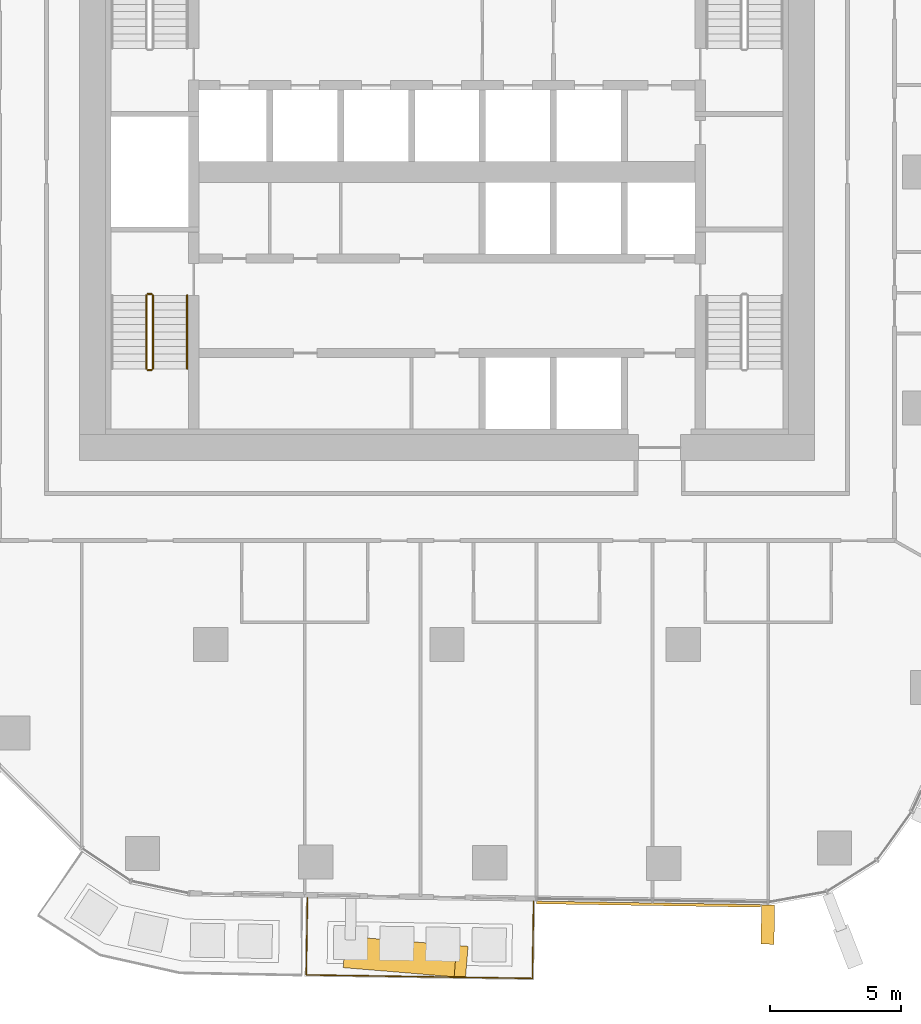
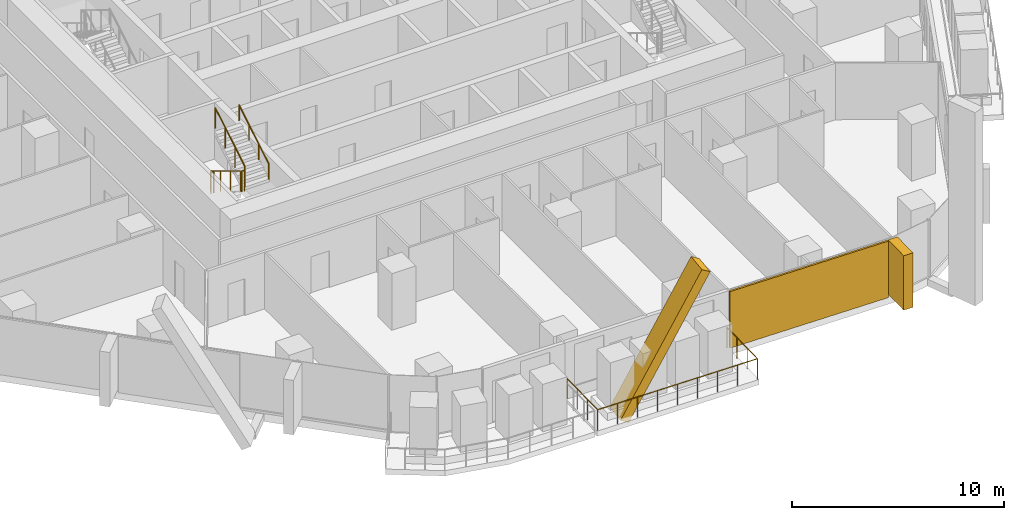
# One storey, part 21 of 26: 6 railings, 3 coverings, 2 elements without a shape of their own.
"""IFC4 building model written with IfcOpenShell, lengths in metres."""

from ifc_helpers import new_model, si_unit, direction, frame, origin, origin_2d, place, context, subcontext, project, spatial, rectangle, circle, extrude, material, layer, layer_set, material_profile, profile_set, type_object, element, aggregate, save


model = new_model("IFC4")

# Units and contexts
model_context = context("Model", 3, precision=1e-05, world=origin(), true_north=direction((0.0, 1.0)))
body_context = subcontext(model_context, "Body", "Model", "MODEL_VIEW")
ifc_project = project(units=[si_unit("LENGTHUNIT", "METRE"), si_unit("AREAUNIT", "SQUARE_METRE"), si_unit("VOLUMEUNIT", "CUBIC_METRE"), si_unit("PLANEANGLEUNIT", "RADIAN"), si_unit("MASSUNIT", "GRAM", prefix="KILO")], contexts=[model_context])

# Site, building, storey
site_placement = place(None, origin())
site = spatial("IfcSite", under=ifc_project, at=site_placement, CompositionType="ELEMENT")
building_placement = place(site_placement, origin())
building = spatial("IfcBuilding", under=site, at=building_placement, Name="Dongbaek Canopy Tower", CompositionType="ELEMENT")
storey_placement = place(building_placement, frame((0.0, 0.0, 95.199951171875)))
storey = spatial("IfcBuildingStorey", under=building, at=storey_placement, Name="L19", CompositionType="ELEMENT", Elevation=95.199951171875)

# Railing
ifc_material_1 = material(Name="Stainless steel", Category="steel")
railing_type_1 = type_object("IfcRailingType", Name="Balcony balustrade 1200", PredefinedType="BALUSTRADE", material=ifc_material_1)
railing_1_placement = place(storey_placement, frame((-5.315185546875, -27.650390625, 0.0)))
element("IfcRailing", 1, at=railing_1_placement, inside=storey, type_object=railing_type_1, Name="Balcony guard L19 4", PredefinedType="BALUSTRADE", context=body_context, shape_type="SweptSolid", body=[
    extrude(circle(Radius=0.02392578125, at=origin_2d()), frame((0.0, 0.0, 1.17578125), z_axis=(-0.015445379339, -0.999880713014, 0.0), x_axis=(0.999880713014, -0.015445379339, 0.0)), (0.0, 0.0, 1.0), 2.93994140625),
    extrude(circle(Radius=0.02392578125, at=origin_2d()), frame((-0.04541015625, -2.939697265625, 1.17578125), z_axis=(0.99988115416, -0.015416794622, 0.0), x_axis=(0.015416794622, 0.99988115416, 0.0)), (0.0, 0.0, 1.0), 8.61474609375),
    extrude(circle(Radius=0.02392578125, at=origin_2d()), frame((8.568359375, -3.072509765625, 1.17578125), z_axis=(0.015362359316, 0.999881991995, 0.0), x_axis=(-0.999881991995, 0.015362359316, 0.0)), (0.0, 0.0, 1.0), 2.93994140625),
    extrude(circle(Radius=0.02099609375, at=origin_2d()), origin(), (0.0, 0.0, 1.0), 1.15185546875),
    extrude(circle(Radius=0.02099609375, at=origin_2d()), frame((-0.01513671875, -0.97998046875, 0.0)), (0.0, 0.0, 1.0), 1.15185546875),
    extrude(circle(Radius=0.02099609375, at=origin_2d()), frame((-0.0302734375, -1.959716796875, 0.0)), (0.0, 0.0, 1.0), 1.15185546875),
    extrude(circle(Radius=0.02099609375, at=origin_2d()), frame((-0.04541015625, -2.939697265625, 0.0)), (0.0, 0.0, 1.0), 1.15185546875),
    extrude(circle(Radius=0.02099609375, at=origin_2d()), frame((1.03125, -2.956298828125, 0.0)), (0.0, 0.0, 1.0), 1.15185546875),
    extrude(circle(Radius=0.02099609375, at=origin_2d()), frame((2.10791015625, -2.972900390625, 0.0)), (0.0, 0.0, 1.0), 1.15185546875),
    extrude(circle(Radius=0.02099609375, at=origin_2d()), frame((3.184814453125, -2.989501953125, 0.0)), (0.0, 0.0, 1.0), 1.15185546875),
    extrude(circle(Radius=0.02099609375, at=origin_2d()), frame((4.261474609375, -3.006103515625, 0.0)), (0.0, 0.0, 1.0), 1.15185546875),
    extrude(circle(Radius=0.02099609375, at=origin_2d()), frame((5.338134765625, -3.022705078125, 0.0)), (0.0, 0.0, 1.0), 1.15185546875),
    extrude(circle(Radius=0.02099609375, at=origin_2d()), frame((6.4150390625, -3.039306640625, 0.0)), (0.0, 0.0, 1.0), 1.15185546875),
    extrude(circle(Radius=0.02099609375, at=origin_2d()), frame((7.49169921875, -3.055908203125, 0.0)), (0.0, 0.0, 1.0), 1.15185546875),
    extrude(circle(Radius=0.02099609375, at=origin_2d()), frame((8.568359375, -3.072509765625, 0.0)), (0.0, 0.0, 1.0), 1.15185546875),
    extrude(circle(Radius=0.02099609375, at=origin_2d()), frame((8.58349609375, -2.092529296875, 0.0)), (0.0, 0.0, 1.0), 1.15185546875),
    extrude(circle(Radius=0.02099609375, at=origin_2d()), frame((8.598388671875, -1.11279296875, 0.0)), (0.0, 0.0, 1.0), 1.15185546875),
    extrude(circle(Radius=0.02099609375, at=origin_2d()), frame((8.613525390625, -0.1328125, 0.0)), (0.0, 0.0, 1.0), 1.15185546875),
])

# Curtain wall, covering
ifc_material_2 = material(Name="Aluminium 6063-T6 pale anodised", Category="aluminium")
ifc_layer_1 = layer(ifc_material_2, 0.199951171875)
ifc_layer_set_1 = layer_set([ifc_layer_1], Name="CW-1 unitised tower curtain wall")
curtain_wall_type = type_object("IfcCurtainWallType", Name="CW-1 unitised tower curtain wall", PredefinedType="NOTDEFINED", material=ifc_layer_set_1)
curtain_wall_1_placement = place(storey_placement, origin())
curtain_wall_1 = element("IfcCurtainWall", 2, at=curtain_wall_1_placement, inside=storey, type_object=curtain_wall_type, Name="CW-1 curtain wall K4.1", PredefinedType="NOTDEFINED")
ifc_material_3 = material(Name="Aluminium 6063-T6 pale metal fin", Category="aluminium")
ifc_material_profile_1 = material_profile(ifc_material_3, rectangle(XDim=1.199951171875, YDim=0.5, at=origin_2d()), Name="Crease fin CF1 500 x 1200 pale metal")
ifc_profile_set_1 = profile_set([ifc_material_profile_1], Name="Aluminium 6063-T6 pale metal fin")
covering_type_1 = type_object("IfcCoveringType", Name="Crease fin CF1 500 x 1200 pale metal", PredefinedType="CLADDING", material=ifc_profile_set_1)
covering_1_placement = place(storey_placement, frame((-3.690185546875, -29.733154296875, -0.224853515625), z_axis=(0.495657860659, -0.040958965098, 0.867551524893), x_axis=(0.082354853177, 0.996603069511, 0.0)))
covering_1 = element("IfcCovering", 3, at=covering_1_placement, type_object=covering_type_1, Name="Crease fin L19 L21 F4", PredefinedType="CLADDING", context=body_context, shape_type="SweptSolid", body=[
    extrude(rectangle(XDim=1.199951171875, YDim=0.5, at=origin_2d()), origin(), (0.0, 0.0, 1.0), 8.529541015625),
])
aggregate(curtain_wall_1, [covering_1])

# Curtain wall, coverings
curtain_wall_2_placement = place(storey_placement, origin())
curtain_wall_2 = element("IfcCurtainWall", 4, at=curtain_wall_2_placement, inside=storey, type_object=curtain_wall_type, Name="CW-1 curtain wall F4.1", PredefinedType="NOTDEFINED")
ifc_material_4 = material(Name="Perforated aluminium 6063-T6 pale metal screen", Category="aluminium")
ifc_layer_2 = layer(ifc_material_4, 0.10009765625)
ifc_layer_set_2 = layer_set([ifc_layer_2], Name="Facet screen FS1 100 pale metal")
covering_type_2 = type_object("IfcCoveringType", Name="Facet screen FS1 100 pale metal", PredefinedType="CLADDING", material=ifc_layer_set_2)
covering_2_placement = place(storey_placement, frame((7.6748046875, -27.896728515625, 0.0), z_axis=(0.0, 0.0, 1.0), x_axis=(0.999881222026, -0.015412392378, 0.0)))
covering_2 = element("IfcCovering", 5, at=covering_2_placement, type_object=covering_type_2, Name="Facet screen L19 F4", PredefinedType="CLADDING", context=body_context, shape_type="SweptSolid", body=[
    extrude(rectangle(XDim=8.534912109375, YDim=0.10009765625, at=origin_2d()), origin(), (0.0, 0.0, 1.0), 3.25),
])
ifc_material_5 = material(Name="Aluminium 6063-T6 pale metal fin", Category="aluminium")
ifc_material_profile_2 = material_profile(ifc_material_5, rectangle(XDim=1.5, YDim=0.5, at=origin_2d()), Name="Fin FN1 500 x 1500 pale metal")
ifc_profile_set_2 = profile_set([ifc_material_profile_2], Name="Aluminium 6063-T6 pale metal fin")
covering_type_3 = type_object("IfcCoveringType", Name="Fin FN1 500 x 1500 pale metal", PredefinedType="CLADDING", material=ifc_profile_set_2)
covering_3_placement = place(storey_placement, frame((12.220703125, -28.6708984375, 0.1201171875), z_axis=(0.0, 0.0, 1.0), x_axis=(-0.015412878639, -0.999881214531, 0.0)))
covering_3 = element("IfcCovering", 6, at=covering_3_placement, type_object=covering_type_3, Name="Fin F4.1.3", PredefinedType="CLADDING", context=body_context, shape_type="SweptSolid", body=[
    extrude(rectangle(XDim=1.5, YDim=0.5, at=origin_2d()), origin(), (0.0, 0.0, 1.0), 3.1298828125),
])
aggregate(curtain_wall_2, [covering_3, covering_2])

# Railings
ifc_material_6 = material(Name="Stainless steel tube and balusters", Category="steel")
railing_type_2 = type_object("IfcRailingType", Name="Stair guard 1200", PredefinedType="GUARDRAIL", material=ifc_material_6)
railing_2_placement = place(storey_placement, frame((-11.449951171875, -4.699951171875, 0.168212890625)))
element("IfcRailing", 7, at=railing_2_placement, inside=storey, type_object=railing_type_2, Name="L19 ST-D stair guard 1", PredefinedType="GUARDRAIL", context=body_context, shape_type="SweptSolid", body=[
    extrude(circle(Radius=0.02392578125, at=origin_2d()), frame((0.0, 0.0, 1.17578125), z_axis=(0.0, -0.857242210791, 0.514913383045), x_axis=(1.0, 0.0, 0.0)), (0.0, 0.0, 1.0), 3.266357421875),
    extrude(circle(Radius=0.02099609375, at=origin_2d()), origin(), (0.0, 0.0, 1.0), 1.15185546875),
    extrude(circle(Radius=0.02099609375, at=origin_2d()), frame((0.0, -0.933349609375, 0.560546875)), (0.0, 0.0, 1.0), 1.15185546875),
    extrude(circle(Radius=0.02099609375, at=origin_2d()), frame((0.0, -1.86669921875, 1.121337890625)), (0.0, 0.0, 1.0), 1.15185546875),
    extrude(circle(Radius=0.02099609375, at=origin_2d()), frame((0.0, -2.800048828125, 1.681884765625)), (0.0, 0.0, 1.0), 1.15185546875),
])
railing_3_placement = place(storey_placement, frame((-11.39990234375, -7.550048828125, 1.85009765625)))
element("IfcRailing", 8, at=railing_3_placement, inside=storey, type_object=railing_type_2, Name="L19 ST-D stair guard 2", PredefinedType="GUARDRAIL", context=body_context, shape_type="SweptSolid", body=[
    extrude(circle(Radius=0.02392578125, at=origin_2d()), frame((0.0, 0.0, 1.17578125), z_axis=(1.0, 0.0, 0.0), x_axis=(0.0, 1.0, 0.0)), (0.0, 0.0, 1.0), 0.14990234375),
    extrude(circle(Radius=0.02099609375, at=origin_2d()), origin(), (0.0, 0.0, 1.0), 1.15185546875),
    extrude(circle(Radius=0.02099609375, at=origin_2d()), frame((0.14990234375, 0.0, 0.0)), (0.0, 0.0, 1.0), 1.15185546875),
])
railing_4_placement = place(storey_placement, frame((-11.199951171875, -7.5, 2.018310546875)))
element("IfcRailing", 9, at=railing_4_placement, inside=storey, type_object=railing_type_2, Name="L19 ST-D stair guard 3", PredefinedType="GUARDRAIL", context=body_context, shape_type="SweptSolid", body=[
    extrude(circle(Radius=0.02392578125, at=origin_2d()), frame((0.0, 0.0, 1.17578125), z_axis=(0.0, 0.857275202839, 0.514858452973), x_axis=(-1.0, 0.0, 0.0)), (0.0, 0.0, 1.0), 3.26611328125),
    extrude(circle(Radius=0.02099609375, at=origin_2d()), origin(), (0.0, 0.0, 1.0), 1.15185546875),
    extrude(circle(Radius=0.02099609375, at=origin_2d()), frame((0.0, 0.933349609375, 0.560546875)), (0.0, 0.0, 1.0), 1.15185546875),
    extrude(circle(Radius=0.02099609375, at=origin_2d()), frame((0.0, 1.86669921875, 1.12109375)), (0.0, 0.0, 1.0), 1.15185546875),
    extrude(circle(Radius=0.02099609375, at=origin_2d()), frame((0.0, 2.800048828125, 1.681640625)), (0.0, 0.0, 1.0), 1.15185546875),
])
railing_5_placement = place(storey_placement, frame((-11.39990234375, -4.64990234375, 0.0)))
element("IfcRailing", 10, at=railing_5_placement, inside=storey, type_object=railing_type_2, Name="L19 ST-D stair guard 4", PredefinedType="GUARDRAIL", context=body_context, shape_type="SweptSolid", body=[
    extrude(circle(Radius=0.02392578125, at=origin_2d()), frame((0.0, 0.0, 1.17578125), z_axis=(1.0, 0.0, 0.0), x_axis=(0.0, 1.0, 0.0)), (0.0, 0.0, 1.0), 0.14990234375),
    extrude(circle(Radius=0.02099609375, at=origin_2d()), origin(), (0.0, 0.0, 1.0), 1.15185546875),
    extrude(circle(Radius=0.02099609375, at=origin_2d()), frame((0.14990234375, 0.0, 0.0)), (0.0, 0.0, 1.0), 1.15185546875),
])
ifc_material_7 = material(Name="Stainless steel tube", Category="steel")
railing_type_3 = type_object("IfcRailingType", Name="Stair handrail 900", PredefinedType="HANDRAIL", material=ifc_material_7)
railing_6_placement = place(storey_placement, frame((-9.89990234375, -7.5, 2.018310546875)))
element("IfcRailing", 11, at=railing_6_placement, inside=storey, type_object=railing_type_3, Name="L19 ST-D stair handrail 2", PredefinedType="HANDRAIL", context=body_context, shape_type="SweptSolid", body=[
    extrude(circle(Radius=0.02392578125, at=origin_2d()), frame((0.0, 0.0, 0.8759765625), z_axis=(0.0, 0.857275202839, 0.514858452973), x_axis=(-1.0, 0.0, 0.0)), (0.0, 0.0, 1.0), 3.26611328125),
    extrude(circle(Radius=0.02099609375, at=origin_2d()), origin(), (0.0, 0.0, 1.0), 0.851806640625),
    extrude(circle(Radius=0.02099609375, at=origin_2d()), frame((0.0, 0.933349609375, 0.560546875)), (0.0, 0.0, 1.0), 0.851806640625),
    extrude(circle(Radius=0.02099609375, at=origin_2d()), frame((0.0, 1.86669921875, 1.12109375)), (0.0, 0.0, 1.0), 0.851806640625),
    extrude(circle(Radius=0.02099609375, at=origin_2d()), frame((0.0, 2.800048828125, 1.681640625)), (0.0, 0.0, 1.0), 0.851806640625),
])

save(model, "model.ifc")
